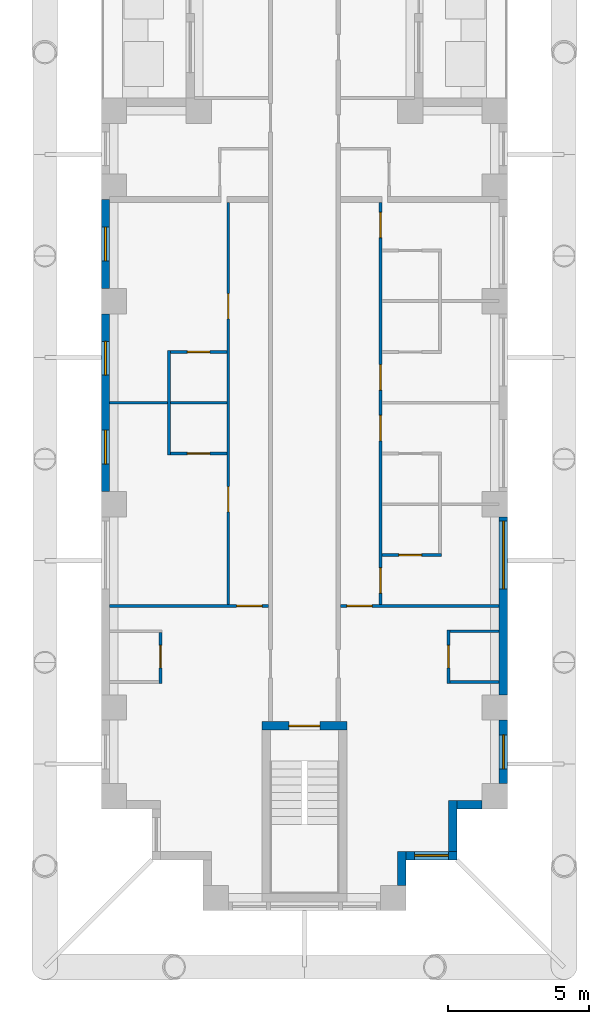
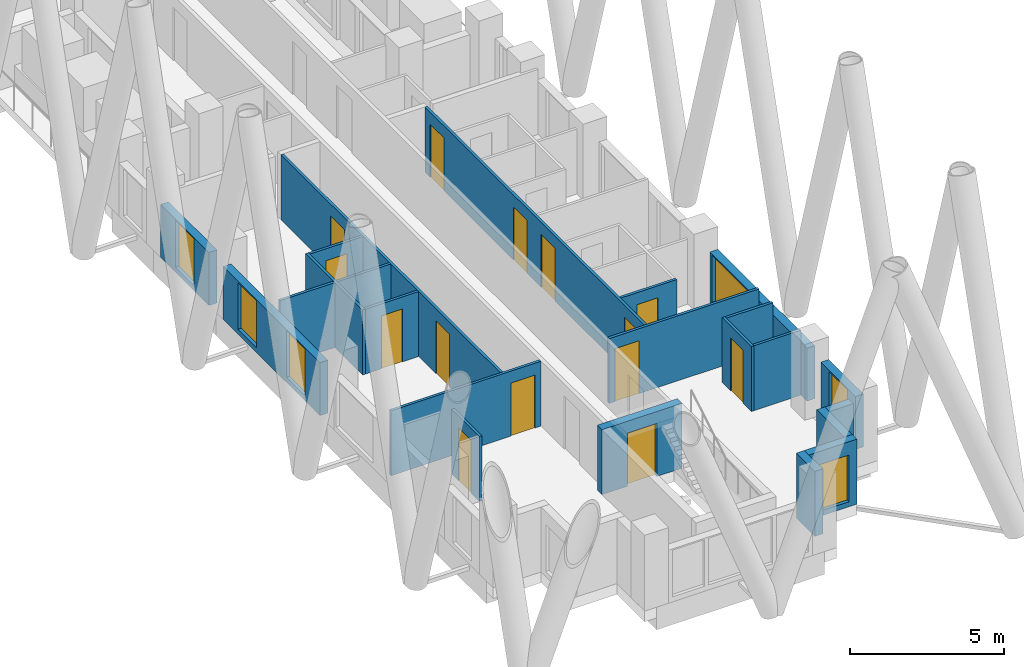
# One storey, part 4 of 17: 22 walls, 14 doors, 6 windows, 20 openings.
"""IFC4 building model written with IfcOpenShell, lengths in metres."""

from ifc_helpers import new_model, si_unit, direction, frame, frame_2d, origin, place, context, subcontext, project, spatial, rectangle, extrude, material, layer, layer_set, type_object, element, fill, save


model = new_model("IFC4")

# Units and contexts
model_context = context("Model", 3, precision=1e-05, world=origin(), true_north=direction((0.0, 1.0)))
body_context = subcontext(model_context, "Body", "Model", "MODEL_VIEW")
ifc_project = project(units=[si_unit("LENGTHUNIT", "METRE"), si_unit("AREAUNIT", "SQUARE_METRE"), si_unit("VOLUMEUNIT", "CUBIC_METRE"), si_unit("PLANEANGLEUNIT", "RADIAN"), si_unit("MASSUNIT", "GRAM", prefix="KILO")], contexts=[model_context])

# Site, building, storey
site_placement = place(None, origin())
site = spatial("IfcSite", under=ifc_project, at=site_placement, CompositionType="ELEMENT")
building_placement = place(site_placement, origin())
building = spatial("IfcBuilding", under=site, at=building_placement, Name="Fustian Cross Tower", CompositionType="ELEMENT")
storey_placement = place(building_placement, frame((0.0, 0.0, 32.699951171875)))
storey = spatial("IfcBuildingStorey", under=building, at=storey_placement, Name="L09", CompositionType="ELEMENT", Elevation=32.699951171875)

# Wall, opening, door
ifc_material_1 = material(Name="Plasterboard on steel stud", Category="steel")
ifc_layer_1 = layer(ifc_material_1, 0.10009765625)
ifc_layer_set_1 = layer_set([ifc_layer_1], Name="Plasterboard on steel stud")
wall_type_1 = type_object("IfcWallType", Name="PARTITION 100 STUD", PredefinedType="PARTITIONING", material=ifc_layer_set_1)
wall_1_placement = place(storey_placement, frame((-6.89990234375, -32.39990234375, 0.0), z_axis=(0.0, 0.0, 1.0), x_axis=(1.0, 0.0, 0.0)))
wall_1 = element("IfcWall", 1, at=wall_1_placement, inside=storey, type_object=wall_type_1, Name="Partition 11", PredefinedType="PARTITIONING", context=body_context, shape_type="SweptSolid", body=[
    extrude(rectangle(XDim=5.625, YDim=0.10009765625, at=frame_2d((2.8125, 0.0))), origin(), (0.0, 0.0, 1.0), 2.574951171875),
])
opening_1_placement = place(wall_1_placement, frame((4.5, 0.0, 0.0)))
opening_1 = element("IfcOpeningElement", 2, at=opening_1_placement, cuts=wall_1, Name="Opening D06069", PredefinedType="OPENING", context=body_context, shape_type="SweptSolid", body=[
    extrude(rectangle(XDim=0.89990234375, YDim=2.10009765625, at=frame_2d((0.449951171875, 1.050048828125))), frame((0.0, 0.06005859375, 0.0), z_axis=(0.0, -1.0, 0.0), x_axis=(1.0, 0.0, 0.0)), (0.0, 0.0, 1.0), 0.1201171875),
])
ifc_material_2 = material(Name="Painted timber", Category="wood")
door_type_1 = type_object("IfcDoorType", Name="SWING DOOR 900", OperationType="SINGLE_SWING_LEFT", PredefinedType="DOOR", material=ifc_material_2)
door_1_placement = place(opening_1_placement, origin())
door_1 = element("IfcDoor", 3, at=door_1_placement, inside=storey, type_object=door_type_1, Name="Door D06069", OperationType="SINGLE_SWING_LEFT", OverallHeight=2.10009765625, OverallWidth=0.89990234375, PredefinedType="DOOR", context=body_context, shape_type="SweptSolid", body=[
    extrude(rectangle(XDim=0.89990234375, YDim=2.10009765625, at=frame_2d((0.449951171875, 1.050048828125))), frame((0.0, 0.02490234375, 0.0), z_axis=(0.0, -1.0, 0.0), x_axis=(1.0, 0.0, 0.0)), (0.0, 0.0, 1.0), 0.050048828125),
])
fill(opening_1, door_1)

# Wall
wall_2_placement = place(storey_placement, frame((-6.89990234375, -25.199951171875, 0.0), z_axis=(0.0, 0.0, 1.0), x_axis=(1.0, 0.0, 0.0)))
element("IfcWall", 4, at=wall_2_placement, inside=storey, type_object=wall_type_1, Name="Partition 12", PredefinedType="PARTITIONING", context=body_context, shape_type="SweptSolid", body=[
    extrude(rectangle(XDim=4.14990234375, YDim=0.10009765625, at=frame_2d((2.074951171875, 0.0))), origin(), (0.0, 0.0, 1.0), 2.574951171875),
])

# Wall, opening, door
wall_3_placement = place(storey_placement, frame((-5.10009765625, -35.14990234375, 0.0), z_axis=(0.0, 0.0, 1.0), x_axis=(0.0, 1.0, 0.0)))
wall_3 = element("IfcWall", 5, at=wall_3_placement, inside=storey, type_object=wall_type_1, Name="Partition 24", PredefinedType="PARTITIONING", context=body_context, shape_type="SweptSolid", body=[
    extrude(rectangle(XDim=1.7998046875, YDim=0.10009765625, at=frame_2d((0.89990234375, 0.0))), origin(), (0.0, 0.0, 1.0), 2.574951171875),
])
opening_2_placement = place(wall_3_placement, frame((0.550048828125, 0.0, 0.0)))
opening_2 = element("IfcOpeningElement", 6, at=opening_2_placement, cuts=wall_3, Name="Opening D06065", PredefinedType="OPENING", context=body_context, shape_type="SweptSolid", body=[
    extrude(rectangle(XDim=0.800048828125, YDim=2.10009765625, at=frame_2d((0.39990234375, 1.050048828125))), frame((0.0, 0.06005859375, 0.0), z_axis=(0.0, -1.0, 0.0), x_axis=(1.0, 0.0, 0.0)), (0.0, 0.0, 1.0), 0.1201171875),
])
ifc_material_3 = material(Name="Painted timber", Category="wood")
door_type_2 = type_object("IfcDoorType", Name="SWING DOOR 800", OperationType="SINGLE_SWING_LEFT", PredefinedType="DOOR", material=ifc_material_3)
door_2_placement = place(opening_2_placement, origin())
door_2 = element("IfcDoor", 7, at=door_2_placement, inside=storey, type_object=door_type_2, Name="Door D06065", OperationType="SINGLE_SWING_RIGHT", OverallHeight=2.10009765625, OverallWidth=0.800048828125, PredefinedType="DOOR", context=body_context, shape_type="SweptSolid", body=[
    extrude(rectangle(XDim=0.800048828125, YDim=2.10009765625, at=frame_2d((0.39990234375, 1.050048828125))), frame((0.0, 0.02490234375, 0.0), z_axis=(0.0, -1.0, 0.0), x_axis=(1.0, 0.0, 0.0)), (0.0, 0.0, 1.0), 0.050048828125),
])
fill(opening_2, door_2)

# Wall
wall_4_placement = place(storey_placement, frame((-4.800048828125, -27.050048828125, 0.0), z_axis=(0.0, 0.0, 1.0), x_axis=(0.0, 1.0, 0.0)))
element("IfcWall", 8, at=wall_4_placement, inside=storey, type_object=wall_type_1, Name="Partition 26", PredefinedType="PARTITIONING", context=body_context, shape_type="SweptSolid", body=[
    extrude(rectangle(XDim=3.699951171875, YDim=0.10009765625, at=frame_2d((1.85009765625, 0.0))), origin(), (0.0, 0.0, 1.0), 2.574951171875),
])

# Wall, opening, door
wall_5_placement = place(storey_placement, frame((-4.75, -27.0, 0.0), z_axis=(0.0, 0.0, 1.0), x_axis=(1.0, 0.0, 0.0)))
wall_5 = element("IfcWall", 9, at=wall_5_placement, inside=storey, type_object=wall_type_1, Name="Partition 27", PredefinedType="PARTITIONING", context=body_context, shape_type="SweptSolid", body=[
    extrude(rectangle(XDim=2.0, YDim=0.10009765625, at=frame_2d((1.0, 0.0))), origin(), (0.0, 0.0, 1.0), 2.574951171875),
])
opening_3_placement = place(wall_5_placement, frame((0.60009765625, 0.0, 0.0)))
opening_3 = element("IfcOpeningElement", 10, at=opening_3_placement, cuts=wall_5, Name="Opening D06071", PredefinedType="OPENING", context=body_context, shape_type="SweptSolid", body=[
    extrude(rectangle(XDim=0.800048828125, YDim=2.10009765625, at=frame_2d((0.39990234375, 1.050048828125))), frame((0.0, 0.06005859375, 0.0), z_axis=(0.0, -1.0, 0.0), x_axis=(1.0, 0.0, 0.0)), (0.0, 0.0, 1.0), 0.1201171875),
])
door_3_placement = place(opening_3_placement, origin())
door_3 = element("IfcDoor", 11, at=door_3_placement, inside=storey, type_object=door_type_2, Name="Door D06071", OperationType="SINGLE_SWING_LEFT", OverallHeight=2.10009765625, OverallWidth=0.800048828125, PredefinedType="DOOR", context=body_context, shape_type="SweptSolid", body=[
    extrude(rectangle(XDim=0.800048828125, YDim=2.10009765625, at=frame_2d((0.39990234375, 1.050048828125))), frame((0.0, 0.02490234375, 0.0), z_axis=(0.0, -1.0, 0.0), x_axis=(1.0, 0.0, 0.0)), (0.0, 0.0, 1.0), 0.050048828125),
])
fill(opening_3, door_3)

wall_6_placement = place(storey_placement, frame((-4.75, -23.39990234375, 0.0), z_axis=(0.0, 0.0, 1.0), x_axis=(1.0, 0.0, 0.0)))
wall_6 = element("IfcWall", 12, at=wall_6_placement, inside=storey, type_object=wall_type_1, Name="Partition 28", PredefinedType="PARTITIONING", context=body_context, shape_type="SweptSolid", body=[
    extrude(rectangle(XDim=2.0, YDim=0.10009765625, at=frame_2d((1.0, 0.0))), origin(), (0.0, 0.0, 1.0), 2.574951171875),
])
opening_4_placement = place(wall_6_placement, frame((0.60009765625, 0.0, 0.0)))
opening_4 = element("IfcOpeningElement", 13, at=opening_4_placement, cuts=wall_6, Name="Opening D06070", PredefinedType="OPENING", context=body_context, shape_type="SweptSolid", body=[
    extrude(rectangle(XDim=0.800048828125, YDim=2.10009765625, at=frame_2d((0.39990234375, 1.050048828125))), frame((0.0, 0.06005859375, 0.0), z_axis=(0.0, -1.0, 0.0), x_axis=(1.0, 0.0, 0.0)), (0.0, 0.0, 1.0), 0.1201171875),
])
door_4_placement = place(opening_4_placement, frame((0.800048828125, 0.0, 0.0), z_axis=(0.0, 0.0, 1.0), x_axis=(-1.0, 0.0, 0.0)))
door_4 = element("IfcDoor", 14, at=door_4_placement, inside=storey, type_object=door_type_2, Name="Door D06070", OperationType="SINGLE_SWING_RIGHT", OverallHeight=2.10009765625, OverallWidth=0.800048828125, PredefinedType="DOOR", context=body_context, shape_type="SweptSolid", body=[
    extrude(rectangle(XDim=0.800048828125, YDim=2.10009765625, at=frame_2d((0.39990234375, 1.050048828125))), frame((0.0, 0.02490234375, 0.0), z_axis=(0.0, -1.0, 0.0), x_axis=(1.0, 0.0, 0.0)), (0.0, 0.0, 1.0), 0.050048828125),
])
fill(opening_4, door_4)

# Wall, openings, doors
wall_7_placement = place(storey_placement, frame((-2.699951171875, -32.35009765625, 0.0), z_axis=(0.0, 0.0, 1.0), x_axis=(0.0, 1.0, 0.0)))
wall_7 = element("IfcWall", 15, at=wall_7_placement, inside=storey, type_object=wall_type_1, Name="Partition 42", PredefinedType="PARTITIONING", context=body_context, shape_type="SweptSolid", body=[
    extrude(rectangle(XDim=14.25, YDim=0.10009765625, at=frame_2d((7.125, 0.0))), origin(), (0.0, 0.0, 1.0), 2.574951171875),
])
opening_5_placement = place(wall_7_placement, frame((3.280029296875, 0.0, 0.0)))
opening_5 = element("IfcOpeningElement", 16, at=opening_5_placement, cuts=wall_7, Name="Opening D06067", PredefinedType="OPENING", context=body_context, shape_type="SweptSolid", body=[
    extrude(rectangle(XDim=0.89990234375, YDim=2.10009765625, at=frame_2d((0.449951171875, 1.050048828125))), frame((0.0, 0.06005859375, 0.0), z_axis=(0.0, -1.0, 0.0), x_axis=(1.0, 0.0, 0.0)), (0.0, 0.0, 1.0), 0.1201171875),
])
opening_6_placement = place(wall_7_placement, frame((10.119873046875, 0.0, 0.0)))
opening_6 = element("IfcOpeningElement", 17, at=opening_6_placement, cuts=wall_7, Name="Opening D06068", PredefinedType="OPENING", context=body_context, shape_type="SweptSolid", body=[
    extrude(rectangle(XDim=0.89990234375, YDim=2.10009765625, at=frame_2d((0.449951171875, 1.050048828125))), frame((0.0, 0.06005859375, 0.0), z_axis=(0.0, -1.0, 0.0), x_axis=(1.0, 0.0, 0.0)), (0.0, 0.0, 1.0), 0.1201171875),
])
door_5_placement = place(opening_5_placement, frame((0.89990234375, 0.0, 0.0), z_axis=(0.0, 0.0, 1.0), x_axis=(-1.0, 0.0, 0.0)))
door_5 = element("IfcDoor", 18, at=door_5_placement, inside=storey, type_object=door_type_1, Name="Door D06067", OperationType="SINGLE_SWING_RIGHT", OverallHeight=2.10009765625, OverallWidth=0.89990234375, PredefinedType="DOOR", context=body_context, shape_type="SweptSolid", body=[
    extrude(rectangle(XDim=0.89990234375, YDim=2.10009765625, at=frame_2d((0.449951171875, 1.050048828125))), frame((0.0, 0.02490234375, 0.0), z_axis=(0.0, -1.0, 0.0), x_axis=(1.0, 0.0, 0.0)), (0.0, 0.0, 1.0), 0.050048828125),
])
fill(opening_5, door_5)
door_6_placement = place(opening_6_placement, frame((0.89990234375, 0.0, 0.0), z_axis=(0.0, 0.0, 1.0), x_axis=(-1.0, 0.0, 0.0)))
door_6 = element("IfcDoor", 19, at=door_6_placement, inside=storey, type_object=door_type_1, Name="Door D06068", OperationType="SINGLE_SWING_LEFT", OverallHeight=2.10009765625, OverallWidth=0.89990234375, PredefinedType="DOOR", context=body_context, shape_type="SweptSolid", body=[
    extrude(rectangle(XDim=0.89990234375, YDim=2.10009765625, at=frame_2d((0.449951171875, 1.050048828125))), frame((0.0, 0.02490234375, 0.0), z_axis=(0.0, -1.0, 0.0), x_axis=(1.0, 0.0, 0.0)), (0.0, 0.0, 1.0), 0.050048828125),
])
fill(opening_6, door_6)

# Wall, opening, door
wall_8_placement = place(storey_placement, frame((1.27490234375, -32.39990234375, 0.0), z_axis=(0.0, 0.0, 1.0), x_axis=(1.0, 0.0, 0.0)))
wall_8 = element("IfcWall", 20, at=wall_8_placement, inside=storey, type_object=wall_type_1, Name="Partition 48", PredefinedType="PARTITIONING", context=body_context, shape_type="SweptSolid", body=[
    extrude(rectangle(XDim=5.625, YDim=0.10009765625, at=frame_2d((2.8125, 0.0))), origin(), (0.0, 0.0, 1.0), 2.574951171875),
])
opening_7_placement = place(wall_8_placement, frame((0.22509765625, 0.0, 0.0)))
opening_7 = element("IfcOpeningElement", 21, at=opening_7_placement, cuts=wall_8, Name="Opening D06053", PredefinedType="OPENING", context=body_context, shape_type="SweptSolid", body=[
    extrude(rectangle(XDim=0.89990234375, YDim=2.10009765625, at=frame_2d((0.449951171875, 1.050048828125))), frame((0.0, 0.06005859375, 0.0), z_axis=(0.0, -1.0, 0.0), x_axis=(1.0, 0.0, 0.0)), (0.0, 0.0, 1.0), 0.1201171875),
])
door_7_placement = place(opening_7_placement, origin())
door_7 = element("IfcDoor", 22, at=door_7_placement, inside=storey, type_object=door_type_1, Name="Door D06053", OperationType="SINGLE_SWING_LEFT", OverallHeight=2.10009765625, OverallWidth=0.89990234375, PredefinedType="DOOR", context=body_context, shape_type="SweptSolid", body=[
    extrude(rectangle(XDim=0.89990234375, YDim=2.10009765625, at=frame_2d((0.449951171875, 1.050048828125))), frame((0.0, 0.02490234375, 0.0), z_axis=(0.0, -1.0, 0.0), x_axis=(1.0, 0.0, 0.0)), (0.0, 0.0, 1.0), 0.050048828125),
])
fill(opening_7, door_7)

# Wall, openings, doors
wall_9_placement = place(storey_placement, frame((2.699951171875, -32.35009765625, 0.0), z_axis=(0.0, 0.0, 1.0), x_axis=(0.0, 1.0, 0.0)))
wall_9 = element("IfcWall", 23, at=wall_9_placement, inside=storey, type_object=wall_type_1, Name="Partition 62", PredefinedType="PARTITIONING", context=body_context, shape_type="SweptSolid", body=[
    extrude(rectangle(XDim=14.25, YDim=0.10009765625, at=frame_2d((7.125, 0.0))), origin(), (0.0, 0.0, 1.0), 2.574951171875),
])
opening_8_placement = place(wall_9_placement, frame((0.400146484375, 0.0, 0.0)))
opening_8 = element("IfcOpeningElement", 24, at=opening_8_placement, cuts=wall_9, Name="Opening D06054", PredefinedType="OPENING", context=body_context, shape_type="SweptSolid", body=[
    extrude(rectangle(XDim=0.89990234375, YDim=2.10009765625, at=frame_2d((0.449951171875, 1.050048828125))), frame((0.0, 0.06005859375, 0.0), z_axis=(0.0, -1.0, 0.0), x_axis=(1.0, 0.0, 0.0)), (0.0, 0.0, 1.0), 0.1201171875),
])
opening_9_placement = place(wall_9_placement, frame((5.800048828125, 0.0, 0.0)))
opening_9 = element("IfcOpeningElement", 25, at=opening_9_placement, cuts=wall_9, Name="Opening D06055", PredefinedType="OPENING", context=body_context, shape_type="SweptSolid", body=[
    extrude(rectangle(XDim=0.89990234375, YDim=2.10009765625, at=frame_2d((0.449951171875, 1.050048828125))), frame((0.0, 0.06005859375, 0.0), z_axis=(0.0, -1.0, 0.0), x_axis=(1.0, 0.0, 0.0)), (0.0, 0.0, 1.0), 0.1201171875),
])
opening_10_placement = place(wall_9_placement, frame((7.60009765625, 0.0, 0.0)))
opening_10 = element("IfcOpeningElement", 26, at=opening_10_placement, cuts=wall_9, Name="Opening D06056", PredefinedType="OPENING", context=body_context, shape_type="SweptSolid", body=[
    extrude(rectangle(XDim=0.89990234375, YDim=2.10009765625, at=frame_2d((0.449951171875, 1.050048828125))), frame((0.0, 0.06005859375, 0.0), z_axis=(0.0, -1.0, 0.0), x_axis=(1.0, 0.0, 0.0)), (0.0, 0.0, 1.0), 0.1201171875),
])
opening_11_placement = place(wall_9_placement, frame((13.0, 0.0, 0.0)))
opening_11 = element("IfcOpeningElement", 27, at=opening_11_placement, cuts=wall_9, Name="Opening D06057", PredefinedType="OPENING", context=body_context, shape_type="SweptSolid", body=[
    extrude(rectangle(XDim=0.89990234375, YDim=2.10009765625, at=frame_2d((0.449951171875, 1.050048828125))), frame((0.0, 0.06005859375, 0.0), z_axis=(0.0, -1.0, 0.0), x_axis=(1.0, 0.0, 0.0)), (0.0, 0.0, 1.0), 0.1201171875),
])
door_8_placement = place(opening_8_placement, frame((0.89990234375, 0.0, 0.0), z_axis=(0.0, 0.0, 1.0), x_axis=(-1.0, 0.0, 0.0)))
door_8 = element("IfcDoor", 28, at=door_8_placement, inside=storey, type_object=door_type_1, Name="Door D06054", OperationType="SINGLE_SWING_RIGHT", OverallHeight=2.10009765625, OverallWidth=0.89990234375, PredefinedType="DOOR", context=body_context, shape_type="SweptSolid", body=[
    extrude(rectangle(XDim=0.89990234375, YDim=2.10009765625, at=frame_2d((0.449951171875, 1.050048828125))), frame((0.0, 0.02490234375, 0.0), z_axis=(0.0, -1.0, 0.0), x_axis=(1.0, 0.0, 0.0)), (0.0, 0.0, 1.0), 0.050048828125),
])
fill(opening_8, door_8)
door_9_placement = place(opening_9_placement, frame((0.89990234375, 0.0, 0.0), z_axis=(0.0, 0.0, 1.0), x_axis=(-1.0, 0.0, 0.0)))
door_9 = element("IfcDoor", 29, at=door_9_placement, inside=storey, type_object=door_type_1, Name="Door D06055", OperationType="SINGLE_SWING_RIGHT", OverallHeight=2.10009765625, OverallWidth=0.89990234375, PredefinedType="DOOR", context=body_context, shape_type="SweptSolid", body=[
    extrude(rectangle(XDim=0.89990234375, YDim=2.10009765625, at=frame_2d((0.449951171875, 1.050048828125))), frame((0.0, 0.02490234375, 0.0), z_axis=(0.0, -1.0, 0.0), x_axis=(1.0, 0.0, 0.0)), (0.0, 0.0, 1.0), 0.050048828125),
])
fill(opening_9, door_9)
door_10_placement = place(opening_10_placement, frame((0.89990234375, 0.0, 0.0), z_axis=(0.0, 0.0, 1.0), x_axis=(-1.0, 0.0, 0.0)))
door_10 = element("IfcDoor", 30, at=door_10_placement, inside=storey, type_object=door_type_1, Name="Door D06056", OperationType="SINGLE_SWING_RIGHT", OverallHeight=2.10009765625, OverallWidth=0.89990234375, PredefinedType="DOOR", context=body_context, shape_type="SweptSolid", body=[
    extrude(rectangle(XDim=0.89990234375, YDim=2.10009765625, at=frame_2d((0.449951171875, 1.050048828125))), frame((0.0, 0.02490234375, 0.0), z_axis=(0.0, -1.0, 0.0), x_axis=(1.0, 0.0, 0.0)), (0.0, 0.0, 1.0), 0.050048828125),
])
fill(opening_10, door_10)
door_11_placement = place(opening_11_placement, frame((0.89990234375, 0.0, 0.0), z_axis=(0.0, 0.0, 1.0), x_axis=(-1.0, 0.0, 0.0)))
door_11 = element("IfcDoor", 31, at=door_11_placement, inside=storey, type_object=door_type_1, Name="Door D06057", OperationType="SINGLE_SWING_RIGHT", OverallHeight=2.10009765625, OverallWidth=0.89990234375, PredefinedType="DOOR", context=body_context, shape_type="SweptSolid", body=[
    extrude(rectangle(XDim=0.89990234375, YDim=2.10009765625, at=frame_2d((0.449951171875, 1.050048828125))), frame((0.0, 0.02490234375, 0.0), z_axis=(0.0, -1.0, 0.0), x_axis=(1.0, 0.0, 0.0)), (0.0, 0.0, 1.0), 0.050048828125),
])
fill(opening_11, door_11)

# Wall, opening, door
wall_10_placement = place(storey_placement, frame((2.75, -30.60009765625, 0.0), z_axis=(0.0, 0.0, 1.0), x_axis=(1.0, 0.0, 0.0)))
wall_10 = element("IfcWall", 32, at=wall_10_placement, inside=storey, type_object=wall_type_1, Name="Partition 63", PredefinedType="PARTITIONING", context=body_context, shape_type="SweptSolid", body=[
    extrude(rectangle(XDim=2.10009765625, YDim=0.10009765625, at=frame_2d((1.050048828125, 0.0))), origin(), (0.0, 0.0, 1.0), 2.574951171875),
])
opening_12_placement = place(wall_10_placement, frame((0.60009765625, 0.0, 0.0)))
opening_12 = element("IfcOpeningElement", 33, at=opening_12_placement, cuts=wall_10, Name="Opening D06061", PredefinedType="OPENING", context=body_context, shape_type="SweptSolid", body=[
    extrude(rectangle(XDim=0.800048828125, YDim=2.10009765625, at=frame_2d((0.39990234375, 1.050048828125))), frame((0.0, 0.06005859375, 0.0), z_axis=(0.0, -1.0, 0.0), x_axis=(1.0, 0.0, 0.0)), (0.0, 0.0, 1.0), 0.1201171875),
])
door_12_placement = place(opening_12_placement, origin())
door_12 = element("IfcDoor", 34, at=door_12_placement, inside=storey, type_object=door_type_2, Name="Door D06061", OperationType="SINGLE_SWING_LEFT", OverallHeight=2.10009765625, OverallWidth=0.800048828125, PredefinedType="DOOR", context=body_context, shape_type="SweptSolid", body=[
    extrude(rectangle(XDim=0.800048828125, YDim=2.10009765625, at=frame_2d((0.39990234375, 1.050048828125))), frame((0.0, 0.02490234375, 0.0), z_axis=(0.0, -1.0, 0.0), x_axis=(1.0, 0.0, 0.0)), (0.0, 0.0, 1.0), 0.050048828125),
])
fill(opening_12, door_12)

wall_11_placement = place(storey_placement, frame((5.10009765625, -35.14990234375, 0.0), z_axis=(0.0, 0.0, 1.0), x_axis=(0.0, 1.0, 0.0)))
wall_11 = element("IfcWall", 35, at=wall_11_placement, inside=storey, type_object=wall_type_1, Name="Partition 81", PredefinedType="PARTITIONING", context=body_context, shape_type="SweptSolid", body=[
    extrude(rectangle(XDim=1.89990234375, YDim=0.10009765625, at=frame_2d((0.949951171875, 0.0))), origin(), (0.0, 0.0, 1.0), 2.574951171875),
])
opening_13_placement = place(wall_11_placement, frame((0.550048828125, 0.0, 0.0)))
opening_13 = element("IfcOpeningElement", 36, at=opening_13_placement, cuts=wall_11, Name="Opening D06051", PredefinedType="OPENING", context=body_context, shape_type="SweptSolid", body=[
    extrude(rectangle(XDim=0.800048828125, YDim=2.10009765625, at=frame_2d((0.39990234375, 1.050048828125))), frame((0.0, 0.06005859375, 0.0), z_axis=(0.0, -1.0, 0.0), x_axis=(1.0, 0.0, 0.0)), (0.0, 0.0, 1.0), 0.1201171875),
])
door_13_placement = place(opening_13_placement, frame((0.800048828125, 0.0, 0.0), z_axis=(0.0, 0.0, 1.0), x_axis=(-1.0, 0.0, 0.0)))
door_13 = element("IfcDoor", 37, at=door_13_placement, inside=storey, type_object=door_type_2, Name="Door D06051", OperationType="SINGLE_SWING_LEFT", OverallHeight=2.10009765625, OverallWidth=0.800048828125, PredefinedType="DOOR", context=body_context, shape_type="SweptSolid", body=[
    extrude(rectangle(XDim=0.800048828125, YDim=2.10009765625, at=frame_2d((0.39990234375, 1.050048828125))), frame((0.0, 0.02490234375, 0.0), z_axis=(0.0, -1.0, 0.0), x_axis=(1.0, 0.0, 0.0)), (0.0, 0.0, 1.0), 0.050048828125),
])
fill(opening_13, door_13)

# Walls
for number, where, z_axis, x_axis, name in (
    (38, (5.14990234375, -35.10009765625, 0.0), (0.0, 0.0, 1.0), (1.0, 0.0, 0.0), "Partition 82"),
    (39, (5.14990234375, -33.300048828125, 0.0), (0.0, 0.0, 1.0), (1.0, 0.0, 0.0), "Partition 83"),
):
    element("IfcWall", number, at=place(storey_placement, frame(where, z_axis=z_axis, x_axis=x_axis)), inside=storey, type_object=wall_type_1, Name=name, PredefinedType="PARTITIONING", context=body_context, shape_type="SweptSolid", body=[
        extrude(rectangle(XDim=1.75, YDim=0.10009765625, at=frame_2d((0.875, 0.0))), origin(), (0.0, 0.0, 1.0), 2.574951171875),
    ])

# Wall, opening, door
ifc_material_4 = material(Name="Concrete C50/60", Category="concrete")
ifc_layer_2 = layer(ifc_material_4, 0.300048828125)
ifc_layer_set_2 = layer_set([ifc_layer_2], Name="Concrete C50/60")
wall_type_2 = type_object("IfcWallType", Name="STAIR ENCLOSURE WALL 300 C50/60", PredefinedType="SHEAR", material=ifc_layer_set_2)
wall_12_placement = place(storey_placement, frame((-1.5, -36.64990234375, 0.0), z_axis=(0.0, 0.0, 1.0), x_axis=(1.0, 0.0, 0.0)))
wall_12 = element("IfcWall", 40, at=wall_12_placement, inside=storey, type_object=wall_type_2, Name="Stair enclosure wall", PredefinedType="SHEAR", context=body_context, shape_type="SweptSolid", body=[
    extrude(rectangle(XDim=3.0, YDim=0.300048828125, at=frame_2d((1.5, 0.0))), origin(), (0.0, 0.0, 1.0), 2.574951171875),
])
opening_14_placement = place(wall_12_placement, frame((0.949951171875, 0.0, 0.0)))
opening_14 = element("IfcOpeningElement", 41, at=opening_14_placement, cuts=wall_12, Name="Opening CD-06-32", PredefinedType="OPENING", context=body_context, shape_type="SweptSolid", body=[
    extrude(rectangle(XDim=1.10009765625, YDim=2.10009765625, at=frame_2d((0.550048828125, 1.050048828125))), frame((0.0, 0.159912109375, 0.0), z_axis=(0.0, -1.0, 0.0), x_axis=(1.0, 0.0, 0.0)), (0.0, 0.0, 1.0), 0.320068359375),
])
ifc_material_5 = material(Name="Steel", Category="steel")
door_type_3 = type_object("IfcDoorType", Name="FIRE DOOR FD60S 1100X2100", OperationType="SINGLE_SWING_LEFT", PredefinedType="DOOR", material=ifc_material_5)
door_14_placement = place(opening_14_placement, frame((1.10009765625, 0.0, 0.0), z_axis=(0.0, 0.0, 1.0), x_axis=(-1.0, 0.0, 0.0)))
door_14 = element("IfcDoor", 42, at=door_14_placement, inside=storey, type_object=door_type_3, Name="Core door CD-06-32", OperationType="SINGLE_SWING_RIGHT", OverallHeight=2.10009765625, OverallWidth=1.10009765625, PredefinedType="DOOR", context=body_context, shape_type="SweptSolid", body=[
    extrude(rectangle(XDim=1.10009765625, YDim=2.10009765625, at=frame_2d((0.550048828125, 1.050048828125))), frame((0.0, 0.02490234375, 0.0), z_axis=(0.0, -1.0, 0.0), x_axis=(1.0, 0.0, 0.0)), (0.0, 0.0, 1.0), 0.050048828125),
])
fill(opening_14, door_14)

# Wall, opening, window
ifc_material_6 = material(Name="Dark aluminium cladding on insulated backing wall", Category="aluminium")
ifc_layer_3 = layer(ifc_material_6, 0.300048828125)
ifc_layer_set_3 = layer_set([ifc_layer_3], Name="Dark aluminium cladding on insulated backing wall")
wall_type_3 = type_object("IfcWallType", Name="XW1 EXTERNAL WALL 300", PredefinedType="SOLIDWALL", material=ifc_layer_set_3)
wall_13_placement = place(storey_placement, frame((-7.050048828125, -18.0, 0.0), z_axis=(0.0, 0.0, 1.0), x_axis=(0.0, -1.0, 0.0)))
wall_13 = element("IfcWall", 43, at=wall_13_placement, inside=storey, type_object=wall_type_3, Name="External wall", PredefinedType="SOLIDWALL", context=body_context, shape_type="SweptSolid", body=[
    extrude(rectangle(XDim=3.14990234375, YDim=0.300048828125, at=frame_2d((1.574951171875, 0.0))), origin(), (0.0, 0.0, 1.0), 2.10009765625),
])
opening_15_placement = place(wall_13_placement, frame((0.97509765625, 0.0, 0.199951171875)))
opening_15 = element("IfcOpeningElement", 44, at=opening_15_placement, cuts=wall_13, Name="Opening WN3", PredefinedType="OPENING", context=body_context, shape_type="SweptSolid", body=[
    extrude(rectangle(XDim=1.199951171875, YDim=1.85009765625, at=frame_2d((0.60009765625, 0.925048828125))), frame((0.0, 0.159912109375, 0.0), z_axis=(0.0, -1.0, 0.0), x_axis=(1.0, 0.0, 0.0)), (0.0, 0.0, 1.0), 0.320068359375),
])
ifc_material_7 = material(Name="Dark anodised aluminium and double glazing", Category="aluminium")
window_type_1 = type_object("IfcWindowType", Name="WN3 WINDOW 1200X1850", PartitioningType="SINGLE_PANEL", PredefinedType="WINDOW", material=ifc_material_7)
window_1_placement = place(opening_15_placement, origin())
window_1 = element("IfcWindow", 45, at=window_1_placement, inside=storey, type_object=window_type_1, Name="Window", OverallHeight=1.85009765625, OverallWidth=1.199951171875, PartitioningType="SINGLE_PANEL", PredefinedType="WINDOW", context=body_context, shape_type="SweptSolid", body=[
    extrude(rectangle(XDim=1.199951171875, YDim=1.85009765625, at=frame_2d((0.60009765625, 0.925048828125))), frame((0.0, 0.030029296875, 0.0), z_axis=(0.0, -1.0, 0.0), x_axis=(1.0, 0.0, 0.0)), (0.0, 0.0, 1.0), 0.06005859375),
])
fill(opening_15, window_1)

# Wall, openings, windows
wall_14_placement = place(storey_placement, frame((-7.050048828125, -22.050048828125, 0.0), z_axis=(0.0, 0.0, 1.0), x_axis=(0.0, -1.0, 0.0)))
wall_14 = element("IfcWall", 46, at=wall_14_placement, inside=storey, type_object=wall_type_3, Name="External wall", PredefinedType="SOLIDWALL", context=body_context, shape_type="SweptSolid", body=[
    extrude(rectangle(XDim=6.300048828125, YDim=0.300048828125, at=frame_2d((3.14990234375, 0.0))), origin(), (0.0, 0.0, 1.0), 2.10009765625),
])
opening_16_placement = place(wall_14_placement, frame((0.97509765625, 0.0, 0.199951171875)))
opening_16 = element("IfcOpeningElement", 47, at=opening_16_placement, cuts=wall_14, Name="Opening WN3", PredefinedType="OPENING", context=body_context, shape_type="SweptSolid", body=[
    extrude(rectangle(XDim=1.199951171875, YDim=1.85009765625, at=frame_2d((0.60009765625, 0.925048828125))), frame((0.0, 0.159912109375, 0.0), z_axis=(0.0, -1.0, 0.0), x_axis=(1.0, 0.0, 0.0)), (0.0, 0.0, 1.0), 0.320068359375),
])
opening_17_placement = place(wall_14_placement, frame((4.125, 0.0, 0.199951171875)))
opening_17 = element("IfcOpeningElement", 48, at=opening_17_placement, cuts=wall_14, Name="Opening WN3", PredefinedType="OPENING", context=body_context, shape_type="SweptSolid", body=[
    extrude(rectangle(XDim=1.199951171875, YDim=1.85009765625, at=frame_2d((0.60009765625, 0.925048828125))), frame((0.0, 0.159912109375, 0.0), z_axis=(0.0, -1.0, 0.0), x_axis=(1.0, 0.0, 0.0)), (0.0, 0.0, 1.0), 0.320068359375),
])
window_2_placement = place(opening_16_placement, origin())
window_2 = element("IfcWindow", 49, at=window_2_placement, inside=storey, type_object=window_type_1, Name="Window", OverallHeight=1.85009765625, OverallWidth=1.199951171875, PartitioningType="SINGLE_PANEL", PredefinedType="WINDOW", context=body_context, shape_type="SweptSolid", body=[
    extrude(rectangle(XDim=1.199951171875, YDim=1.85009765625, at=frame_2d((0.60009765625, 0.925048828125))), frame((0.0, 0.030029296875, 0.0), z_axis=(0.0, -1.0, 0.0), x_axis=(1.0, 0.0, 0.0)), (0.0, 0.0, 1.0), 0.06005859375),
])
fill(opening_16, window_2)
window_3_placement = place(opening_17_placement, origin())
window_3 = element("IfcWindow", 50, at=window_3_placement, inside=storey, type_object=window_type_1, Name="Window", OverallHeight=1.85009765625, OverallWidth=1.199951171875, PartitioningType="SINGLE_PANEL", PredefinedType="WINDOW", context=body_context, shape_type="SweptSolid", body=[
    extrude(rectangle(XDim=1.199951171875, YDim=1.85009765625, at=frame_2d((0.60009765625, 0.925048828125))), frame((0.0, 0.030029296875, 0.0), z_axis=(0.0, -1.0, 0.0), x_axis=(1.0, 0.0, 0.0)), (0.0, 0.0, 1.0), 0.06005859375),
])
fill(opening_17, window_3)

# Wall
wall_15_placement = place(storey_placement, frame((3.449951171875, -42.300048828125, 0.0), z_axis=(0.0, 0.0, 1.0), x_axis=(0.0, 1.0, 0.0)))
element("IfcWall", 51, at=wall_15_placement, inside=storey, type_object=wall_type_3, Name="External wall", PredefinedType="SOLIDWALL", context=body_context, shape_type="SweptSolid", body=[
    extrude(rectangle(XDim=1.199951171875, YDim=0.300048828125, at=frame_2d((0.60009765625, 0.0))), origin(), (0.0, 0.0, 1.0), 2.574951171875),
])

# Wall, opening, window
wall_16_placement = place(storey_placement, frame((3.60009765625, -41.25, 0.0), z_axis=(0.0, 0.0, 1.0), x_axis=(1.0, 0.0, 0.0)))
wall_16 = element("IfcWall", 52, at=wall_16_placement, inside=storey, type_object=wall_type_3, Name="External wall", PredefinedType="SOLIDWALL", context=body_context, shape_type="SweptSolid", body=[
    extrude(rectangle(XDim=1.7998046875, YDim=0.300048828125, at=frame_2d((0.89990234375, 0.0))), origin(), (0.0, 0.0, 1.0), 2.574951171875),
])
opening_18_placement = place(wall_16_placement, frame((0.300048828125, 0.0, 0.199951171875)))
opening_18 = element("IfcOpeningElement", 53, at=opening_18_placement, cuts=wall_16, Name="Opening WN3", PredefinedType="OPENING", context=body_context, shape_type="SweptSolid", body=[
    extrude(rectangle(XDim=1.199951171875, YDim=1.85009765625, at=frame_2d((0.60009765625, 0.925048828125))), frame((0.0, 0.159912109375, 0.0), z_axis=(0.0, -1.0, 0.0), x_axis=(1.0, 0.0, 0.0)), (0.0, 0.0, 1.0), 0.320068359375),
])
window_4_placement = place(opening_18_placement, origin())
window_4 = element("IfcWindow", 54, at=window_4_placement, inside=storey, type_object=window_type_1, Name="Window", OverallHeight=1.85009765625, OverallWidth=1.199951171875, PartitioningType="SINGLE_PANEL", PredefinedType="WINDOW", context=body_context, shape_type="SweptSolid", body=[
    extrude(rectangle(XDim=1.199951171875, YDim=1.85009765625, at=frame_2d((0.60009765625, 0.925048828125))), frame((0.0, 0.030029296875, 0.0), z_axis=(0.0, -1.0, 0.0), x_axis=(1.0, 0.0, 0.0)), (0.0, 0.0, 1.0), 0.06005859375),
])
fill(opening_18, window_4)

# Walls
wall_17_placement = place(storey_placement, frame((5.25, -41.10009765625, 0.0), z_axis=(0.0, 0.0, 1.0), x_axis=(0.0, 1.0, 0.0)))
element("IfcWall", 55, at=wall_17_placement, inside=storey, type_object=wall_type_3, Name="External wall", PredefinedType="SOLIDWALL", context=body_context, shape_type="SweptSolid", body=[
    extrude(rectangle(XDim=1.800048828125, YDim=0.300048828125, at=frame_2d((0.89990234375, 0.0))), origin(), (0.0, 0.0, 1.0), 2.574951171875),
])
wall_18_placement = place(storey_placement, frame((5.39990234375, -39.449951171875, 0.0), z_axis=(0.0, 0.0, 1.0), x_axis=(1.0, 0.0, 0.0)))
element("IfcWall", 56, at=wall_18_placement, inside=storey, type_object=wall_type_3, Name="External wall", PredefinedType="SOLIDWALL", context=body_context, shape_type="SweptSolid", body=[
    extrude(rectangle(XDim=0.900146484375, YDim=0.300048828125, at=frame_2d((0.4501953125, 0.0))), origin(), (0.0, 0.0, 1.0), 2.574951171875),
])

# Wall, opening, window
wall_19_placement = place(storey_placement, frame((7.050048828125, -38.699951171875, 0.0), z_axis=(0.0, 0.0, 1.0), x_axis=(0.0, 1.0, 0.0)))
wall_19 = element("IfcWall", 57, at=wall_19_placement, inside=storey, type_object=wall_type_3, Name="External wall", PredefinedType="SOLIDWALL", context=body_context, shape_type="SweptSolid", body=[
    extrude(rectangle(XDim=2.25, YDim=0.300048828125, at=frame_2d((1.125, 0.0))), origin(), (0.0, 0.0, 1.0), 2.10009765625),
])
opening_19_placement = place(wall_19_placement, frame((0.52490234375, 0.0, 0.199951171875)))
opening_19 = element("IfcOpeningElement", 58, at=opening_19_placement, cuts=wall_19, Name="Opening WN3", PredefinedType="OPENING", context=body_context, shape_type="SweptSolid", body=[
    extrude(rectangle(XDim=1.199951171875, YDim=1.85009765625, at=frame_2d((0.60009765625, 0.925048828125))), frame((0.0, 0.159912109375, 0.0), z_axis=(0.0, -1.0, 0.0), x_axis=(1.0, 0.0, 0.0)), (0.0, 0.0, 1.0), 0.320068359375),
])
window_5_placement = place(opening_19_placement, origin())
window_5 = element("IfcWindow", 59, at=window_5_placement, inside=storey, type_object=window_type_1, Name="Window", OverallHeight=1.85009765625, OverallWidth=1.199951171875, PartitioningType="SINGLE_PANEL", PredefinedType="WINDOW", context=body_context, shape_type="SweptSolid", body=[
    extrude(rectangle(XDim=1.199951171875, YDim=1.85009765625, at=frame_2d((0.60009765625, 0.925048828125))), frame((0.0, 0.030029296875, 0.0), z_axis=(0.0, -1.0, 0.0), x_axis=(1.0, 0.0, 0.0)), (0.0, 0.0, 1.0), 0.06005859375),
])
fill(opening_19, window_5)

wall_20_placement = place(storey_placement, frame((7.050048828125, -35.550048828125, 0.0), z_axis=(0.0, 0.0, 1.0), x_axis=(0.0, 1.0, 0.0)))
wall_20 = element("IfcWall", 60, at=wall_20_placement, inside=storey, type_object=wall_type_3, Name="External wall", PredefinedType="SOLIDWALL", context=body_context, shape_type="SweptSolid", body=[
    extrude(rectangle(XDim=6.300048828125, YDim=0.300048828125, at=frame_2d((3.14990234375, 0.0))), origin(), (0.0, 0.0, 1.0), 2.10009765625),
])
opening_20_placement = place(wall_20_placement, frame((3.75, 0.0, 0.199951171875)))
opening_20 = element("IfcOpeningElement", 61, at=opening_20_placement, cuts=wall_20, Name="Opening WN1", PredefinedType="OPENING", context=body_context, shape_type="SweptSolid", body=[
    extrude(rectangle(XDim=2.39990234375, YDim=1.85009765625, at=frame_2d((1.199951171875, 0.925048828125))), frame((0.0, 0.159912109375, 0.0), z_axis=(0.0, -1.0, 0.0), x_axis=(1.0, 0.0, 0.0)), (0.0, 0.0, 1.0), 0.320068359375),
])
ifc_material_8 = material(Name="Dark anodised aluminium and double glazing", Category="aluminium")
window_type_2 = type_object("IfcWindowType", Name="WN1 WINDOW 2400X1850", PartitioningType="SINGLE_PANEL", PredefinedType="WINDOW", material=ifc_material_8)
window_6_placement = place(opening_20_placement, origin())
window_6 = element("IfcWindow", 62, at=window_6_placement, inside=storey, type_object=window_type_2, Name="Window", OverallHeight=1.85009765625, OverallWidth=2.39990234375, PartitioningType="SINGLE_PANEL", PredefinedType="WINDOW", context=body_context, shape_type="SweptSolid", body=[
    extrude(rectangle(XDim=2.39990234375, YDim=1.85009765625, at=frame_2d((1.199951171875, 0.925048828125))), frame((0.0, 0.030029296875, 0.0), z_axis=(0.0, -1.0, 0.0), x_axis=(1.0, 0.0, 0.0)), (0.0, 0.0, 1.0), 0.06005859375),
])
fill(opening_20, window_6)

save(model, "model.ifc")
